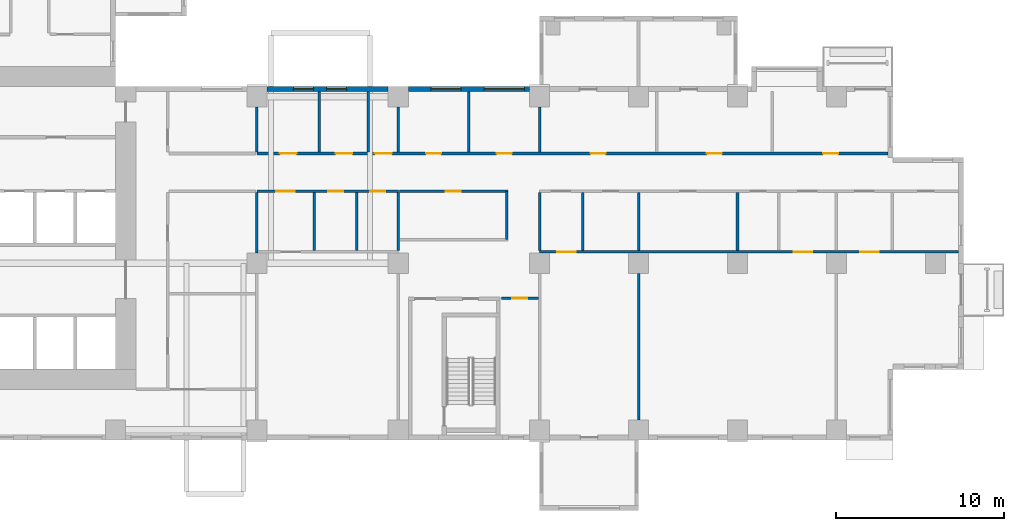
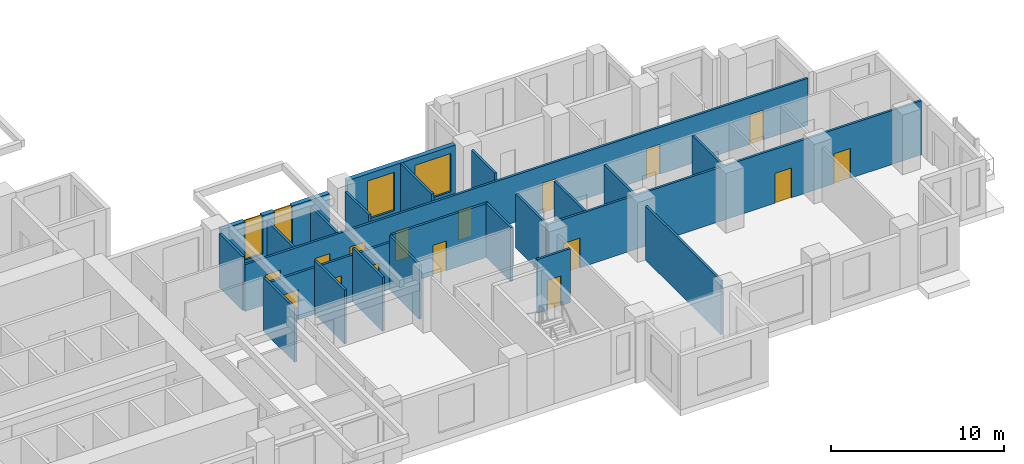
# One storey, part 5 of 15: 23 walls, 16 doors, 4 windows, 20 openings.
"""IFC4 building model written with IfcOpenShell, lengths in metres."""

from ifc_helpers import new_model, si_unit, direction, frame, frame_2d, origin, place, context, subcontext, project, spatial, rectangle, extrude, source, transform, mapped, material, layer, layer_set, type_object, element, fill, save


model = new_model("IFC4")

# Units and contexts
model_context = context("Model", 3, precision=1e-05, world=origin(), true_north=direction((0.0, 1.0)))
body_context = subcontext(model_context, "Body", "Model", "MODEL_VIEW")
ifc_project = project(units=[si_unit("LENGTHUNIT", "METRE"), si_unit("AREAUNIT", "SQUARE_METRE"), si_unit("VOLUMEUNIT", "CUBIC_METRE"), si_unit("PLANEANGLEUNIT", "RADIAN"), si_unit("MASSUNIT", "GRAM", prefix="KILO")], contexts=[model_context])

# Site, building, storey
site_placement = place(None, origin())
site = spatial("IfcSite", under=ifc_project, at=site_placement, CompositionType="ELEMENT")
building_placement = place(site_placement, origin())
building = spatial("IfcBuilding", under=site, at=building_placement, Name="Aurelian Terraces", CompositionType="ELEMENT")
storey_placement = place(building_placement, frame((0.0, 0.0, 61.5)))
storey = spatial("IfcBuildingStorey", under=building, at=storey_placement, Name="L12", CompositionType="ELEMENT", Elevation=61.5)

# Wall, openings, windows
ifc_material_1 = material(Name="Terracotta rainscreen cladding", Category="masonry")
ifc_layer_1 = layer(ifc_material_1, 0.3)
ifc_layer_set_1 = layer_set([ifc_layer_1], Name="EW-300")
wall_type_1 = type_object("IfcWallType", Name="EW-300", PredefinedType="STANDARD", material=ifc_layer_set_1)
shared_shape_1 = source(origin(), body_context, "Body", "SweptSolid", [
    extrude(rectangle(XDim=7.2, YDim=0.3, at=frame_2d((3.6, 0.0))), origin(), (0.0, 0.0, 1.0), 3.8),
])
wall_1_placement = place(storey_placement, frame((45.6, 20.85, 0.0), z_axis=(0.0, 0.0, 1.0), x_axis=(-1.0, 0.0, 0.0)))
wall_1 = element("IfcWall", 1, at=wall_1_placement, inside=storey, type_object=wall_type_1, Name="External wall L12 F07.23", PredefinedType="STANDARD", context=body_context, shape_type="MappedRepresentation", body=[
    mapped(shared_shape_1, transform((0.0, 0.0, 0.0), scale=1.0)),
])
shared_shape_2 = source(origin(), body_context, "Body", "SweptSolid", [
    extrude(rectangle(XDim=2.4, YDim=2.7, at=frame_2d((1.2, 1.35))), frame((0.0, 0.16, 0.0), z_axis=(0.0, -1.0, 0.0), x_axis=(1.0, 0.0, 0.0)), (0.0, 0.0, 1.0), 0.32),
])
opening_1_placement = place(wall_1_placement, frame((0.3, 0.0, 0.6)))
opening_1 = element("IfcOpeningElement", 2, at=opening_1_placement, cuts=wall_1, Name="Opening W2427", PredefinedType="OPENING", context=body_context, shape_type="MappedRepresentation", body=[
    mapped(shared_shape_2, transform((0.0, 0.0, 0.0), scale=1.0)),
])
shared_shape_3 = source(origin(), body_context, "Body", "SweptSolid", [
    extrude(rectangle(XDim=1.8, YDim=2.7, at=frame_2d((0.9, 1.35))), frame((0.0, 0.16, 0.0), z_axis=(0.0, -1.0, 0.0), x_axis=(1.0, 0.0, 0.0)), (0.0, 0.0, 1.0), 0.32),
])
opening_2_placement = place(wall_1_placement, frame((4.0625, 0.0, 0.6)))
opening_2 = element("IfcOpeningElement", 3, at=opening_2_placement, cuts=wall_1, Name="Opening W1827", PredefinedType="OPENING", context=body_context, shape_type="MappedRepresentation", body=[
    mapped(shared_shape_3, transform((0.0, 0.0, 0.0), scale=1.0)),
])
ifc_material_2 = material(Name="Clear glazing", Category="glass")
window_type_1 = type_object("IfcWindowType", Name="W-2400x2700", PartitioningType="SINGLE_PANEL", PredefinedType="WINDOW", material=ifc_material_2)
shared_shape_4 = source(origin(), body_context, "Body", "SweptSolid", [
    extrude(rectangle(XDim=2.4, YDim=2.7, at=frame_2d((1.2, 1.35))), frame((0.0, 0.03, 0.0), z_axis=(0.0, -1.0, 0.0), x_axis=(1.0, 0.0, 0.0)), (0.0, 0.0, 1.0), 0.06),
])
window_1_placement = place(opening_1_placement, origin())
window_1 = element("IfcWindow", 4, at=window_1_placement, inside=storey, type_object=window_type_1, Name="Window L12 L12-F07-23-0", OverallHeight=2.7, OverallWidth=2.4, PartitioningType="SINGLE_PANEL", PredefinedType="WINDOW", context=body_context, shape_type="MappedRepresentation", body=[
    mapped(shared_shape_4, transform((0.0, 0.0, 0.0), scale=1.0)),
])
fill(opening_1, window_1)
window_type_2 = type_object("IfcWindowType", Name="W-1800x2700", PartitioningType="SINGLE_PANEL", PredefinedType="WINDOW", material=ifc_material_2)
shared_shape_5 = source(origin(), body_context, "Body", "SweptSolid", [
    extrude(rectangle(XDim=1.8, YDim=2.7, at=frame_2d((0.9, 1.35))), frame((0.0, 0.03, 0.0), z_axis=(0.0, -1.0, 0.0), x_axis=(1.0, 0.0, 0.0)), (0.0, 0.0, 1.0), 0.06),
])
window_2_placement = place(opening_2_placement, origin())
window_2 = element("IfcWindow", 5, at=window_2_placement, inside=storey, type_object=window_type_2, Name="Window L12 L12-F07-23-G0-33", OverallHeight=2.7, OverallWidth=1.8, PartitioningType="SINGLE_PANEL", PredefinedType="WINDOW", context=body_context, shape_type="MappedRepresentation", body=[
    mapped(shared_shape_5, transform((0.0, 0.0, 0.0), scale=1.0)),
])
fill(opening_2, window_2)

shared_shape_6 = source(origin(), body_context, "Body", "SweptSolid", [
    extrude(rectangle(XDim=7.2, YDim=0.3, at=frame_2d((3.6, 0.0))), origin(), (0.0, 0.0, 1.0), 3.3),
])
wall_2_placement = place(storey_placement, frame((37.2, 20.85, 0.0), z_axis=(0.0, 0.0, 1.0), x_axis=(-1.0, 0.0, 0.0)))
wall_2 = element("IfcWall", 6, at=wall_2_placement, inside=storey, type_object=wall_type_1, Name="External wall L12 F07.23", PredefinedType="STANDARD", context=body_context, shape_type="MappedRepresentation", body=[
    mapped(shared_shape_6, transform((0.0, 0.0, 0.0), scale=1.0)),
])
shared_shape_7 = source(origin(), body_context, "Body", "SweptSolid", [
    extrude(rectangle(XDim=1.2, YDim=2.7, at=frame_2d((0.6, 1.35))), frame((0.0, 0.16, 0.0), z_axis=(0.0, -1.0, 0.0), x_axis=(1.0, 0.0, 0.0)), (0.0, 0.0, 1.0), 0.32),
])
opening_3_placement = place(wall_2_placement, frame((2.466, 0.0, 0.6)))
opening_3 = element("IfcOpeningElement", 7, at=opening_3_placement, cuts=wall_2, Name="Opening W1227", PredefinedType="OPENING", context=body_context, shape_type="MappedRepresentation", body=[
    mapped(shared_shape_7, transform((0.0, 0.0, 0.0), scale=1.0)),
])
opening_4_placement = place(wall_2_placement, frame((4.441, 0.0, 0.6)))
opening_4 = element("IfcOpeningElement", 8, at=opening_4_placement, cuts=wall_2, Name="Opening W1227", PredefinedType="OPENING", context=body_context, shape_type="MappedRepresentation", body=[
    mapped(shared_shape_7, transform((0.0, 0.0, 0.0), scale=1.0)),
])
window_type_3 = type_object("IfcWindowType", Name="W-1200x2700", PartitioningType="SINGLE_PANEL", PredefinedType="WINDOW", material=ifc_material_2)
shared_shape_8 = source(origin(), body_context, "Body", "SweptSolid", [
    extrude(rectangle(XDim=1.2, YDim=2.7, at=frame_2d((0.6, 1.35))), frame((0.0, 0.03, 0.0), z_axis=(0.0, -1.0, 0.0), x_axis=(1.0, 0.0, 0.0)), (0.0, 0.0, 1.0), 0.06),
])
window_3_placement = place(opening_3_placement, origin())
window_3 = element("IfcWindow", 9, at=window_3_placement, inside=storey, type_object=window_type_3, Name="Window L12 L12-F07-23-2.1", OverallHeight=2.7, OverallWidth=1.2, PartitioningType="SINGLE_PANEL", PredefinedType="WINDOW", context=body_context, shape_type="MappedRepresentation", body=[
    mapped(shared_shape_8, transform((0.0, 0.0, 0.0), scale=1.0)),
])
fill(opening_3, window_3)
window_4_placement = place(opening_4_placement, origin())
window_4 = element("IfcWindow", 10, at=window_4_placement, inside=storey, type_object=window_type_3, Name="Window L12 L12-F07-23-2.2", OverallHeight=2.7, OverallWidth=1.2, PartitioningType="SINGLE_PANEL", PredefinedType="WINDOW", context=body_context, shape_type="MappedRepresentation", body=[
    mapped(shared_shape_8, transform((0.0, 0.0, 0.0), scale=1.0)),
])
fill(opening_4, window_4)

# Wall, opening, door
ifc_material_3 = material(Name="Gypsum board on steel studs", Category="steel")
ifc_layer_2 = layer(ifc_material_3, 0.15)
ifc_layer_set_2 = layer_set([ifc_layer_2], Name="Fire partition 150")
wall_type_2 = type_object("IfcWallType", Name="Fire partition 150", PredefinedType="PARTITIONING", material=ifc_layer_set_2)
shared_shape_9 = source(origin(), body_context, "Body", "SweptSolid", [
    extrude(rectangle(XDim=6.45, YDim=0.15, at=frame_2d((3.225, 0.0))), origin(), (0.0, 0.0, 1.0), 3.8),
])
wall_3_placement = place(storey_placement, frame((44.325, 14.775, 0.0), z_axis=(0.0, 0.0, 1.0), x_axis=(-1.0, 0.0, 0.0)))
wall_3 = element("IfcWall", 11, at=wall_3_placement, inside=storey, type_object=wall_type_2, Name="Corridor wall", PredefinedType="PARTITIONING", context=body_context, shape_type="MappedRepresentation", body=[
    mapped(shared_shape_9, transform((0.0, 0.0, 0.0), scale=1.0)),
])
shared_shape_10 = source(origin(), body_context, "Body", "SweptSolid", [
    extrude(rectangle(XDim=0.9, YDim=2.1, at=frame_2d((0.45, 1.05))), frame((0.0, 0.085, 0.0), z_axis=(0.0, -1.0, 0.0), x_axis=(1.0, 0.0, 0.0)), (0.0, 0.0, 1.0), 0.17),
])
opening_5_placement = place(wall_3_placement, frame((2.8125, 0.0, 0.0)))
opening_5 = element("IfcOpeningElement", 12, at=opening_5_placement, cuts=wall_3, Name="Opening 712005", PredefinedType="OPENING", context=body_context, shape_type="MappedRepresentation", body=[
    mapped(shared_shape_10, transform((0.0, 0.0, 0.0), scale=1.0)),
])
ifc_material_4 = material(Name="Timber door leaf", Category="wood")
door_type_1 = type_object("IfcDoorType", Name="Room door 900x2100 left", OperationType="SINGLE_SWING_LEFT", PredefinedType="DOOR", material=ifc_material_4)
shared_shape_11 = source(origin(), body_context, "Body", "SweptSolid", [
    extrude(rectangle(XDim=0.9, YDim=2.1, at=frame_2d((0.45, 1.05))), frame((0.0, 0.025, 0.0), z_axis=(0.0, -1.0, 0.0), x_axis=(1.0, 0.0, 0.0)), (0.0, 0.0, 1.0), 0.05),
])
door_1_placement = place(opening_5_placement, origin())
door_1 = element("IfcDoor", 13, at=door_1_placement, inside=storey, type_object=door_type_1, Name="Door 712005", OperationType="SINGLE_SWING_LEFT", OverallHeight=2.1, OverallWidth=0.9, PredefinedType="DOOR", context=body_context, shape_type="MappedRepresentation", body=[
    mapped(shared_shape_11, transform((0.0, 0.0, 0.0), scale=1.0)),
])
fill(opening_5, door_1)

# Walls
ifc_layer_3 = layer(ifc_material_3, 0.15)
ifc_layer_set_3 = layer_set([ifc_layer_3], Name="Partition 150")
wall_type_3 = type_object("IfcWallType", Name="Partition 150", PredefinedType="PARTITIONING", material=ifc_layer_set_3)
shared_shape_12 = source(origin(), body_context, "Body", "SweptSolid", [
    extrude(rectangle(XDim=8.702, YDim=0.15, at=frame_2d((4.351, 0.0))), origin(), (0.0, 0.0, 1.0), 3.8),
])
wall_4_placement = place(storey_placement, frame((52.08, 1.199, 0.0), z_axis=(0.0, 0.0, 1.0), x_axis=(0.0, 1.0, 0.0)))
element("IfcWall", 14, at=wall_4_placement, inside=storey, type_object=wall_type_3, Name="Partition", PredefinedType="PARTITIONING", context=body_context, shape_type="MappedRepresentation", body=[
    mapped(shared_shape_12, transform((0.0, 0.0, 0.0), scale=1.0)),
])
shared_shape_13 = source(origin(), body_context, "Body", "SweptSolid", [
    extrude(rectangle(XDim=3.6, YDim=0.15, at=frame_2d((1.8, 0.0))), origin(), (0.0, 0.0, 1.0), 3.8),
])
wall_5_placement = place(storey_placement, frame((42.0, 20.7, 0.0), z_axis=(0.0, 0.0, 1.0), x_axis=(0.0, -1.0, 0.0)))
element("IfcWall", 15, at=wall_5_placement, inside=storey, type_object=wall_type_3, Name="Partition", PredefinedType="PARTITIONING", context=body_context, shape_type="MappedRepresentation", body=[
    mapped(shared_shape_13, transform((0.0, 0.0, 0.0), scale=1.0)),
])
shared_shape_14 = source(origin(), body_context, "Body", "SweptSolid", [
    extrude(rectangle(XDim=2.701, YDim=0.15, at=frame_2d((1.3505, 0.0))), origin(), (0.0, 0.0, 1.0), 3.8),
])
for number, where, z_axis, x_axis, name in (
    (16, (29.4, 17.1, 0.0), (0.0, 0.0, 1.0), (0.0, 1.0, 0.0), "Partition"),
    (17, (37.8, 17.1, 0.0), (0.0, 0.0, 1.0), (0.0, 1.0, 0.0), "Partition"),
    (18, (46.2, 17.1, 0.0), (0.0, 0.0, 1.0), (0.0, 1.0, 0.0), "Partition"),
):
    element("IfcWall", number, at=place(storey_placement, frame(where, z_axis=z_axis, x_axis=x_axis)), inside=storey, type_object=wall_type_3, Name=name, PredefinedType="PARTITIONING", context=body_context, shape_type="MappedRepresentation", body=[
        mapped(shared_shape_14, transform((0.0, 0.0, 0.0), scale=1.0)),
    ])

# Wall, openings, doors
shared_shape_15 = source(origin(), body_context, "Body", "SweptSolid", [
    extrude(rectangle(XDim=24.9, YDim=0.15, at=frame_2d((12.45, 0.0))), origin(), (0.0, 0.0, 1.0), 3.8),
])
wall_6_placement = place(storey_placement, frame((71.1, 11.175, 0.0), z_axis=(0.0, 0.0, 1.0), x_axis=(-1.0, 0.0, 0.0)))
wall_6 = element("IfcWall", 19, at=wall_6_placement, inside=storey, type_object=wall_type_3, Name="Partition", PredefinedType="PARTITIONING", context=body_context, shape_type="MappedRepresentation", body=[
    mapped(shared_shape_15, transform((0.0, 0.0, 0.0), scale=1.0)),
])
shared_shape_16 = source(origin(), body_context, "Body", "SweptSolid", [
    extrude(rectangle(XDim=1.1, YDim=2.1, at=frame_2d((0.55, 1.05))), frame((0.0, 0.085, 0.0), z_axis=(0.0, -1.0, 0.0), x_axis=(1.0, 0.0, 0.0)), (0.0, 0.0, 1.0), 0.17),
])
opening_6_placement = place(wall_6_placement, frame((22.7533, 0.0, 0.0)))
opening_6 = element("IfcOpeningElement", 20, at=opening_6_placement, cuts=wall_6, Name="Opening 712012", PredefinedType="OPENING", context=body_context, shape_type="MappedRepresentation", body=[
    mapped(shared_shape_16, transform((0.0, 0.0, 0.0), scale=1.0)),
])
opening_7_placement = place(wall_6_placement, frame((8.6827, 0.0, 0.0)))
opening_7 = element("IfcOpeningElement", 21, at=opening_7_placement, cuts=wall_6, Name="Opening 712015", PredefinedType="OPENING", context=body_context, shape_type="MappedRepresentation", body=[
    mapped(shared_shape_16, transform((0.0, 0.0, 0.0), scale=1.0)),
])
opening_8_placement = place(wall_6_placement, frame((4.7383, 0.0, 0.0)))
opening_8 = element("IfcOpeningElement", 22, at=opening_8_placement, cuts=wall_6, Name="Opening 712019", PredefinedType="OPENING", context=body_context, shape_type="MappedRepresentation", body=[
    mapped(shared_shape_16, transform((0.0, 0.0, 0.0), scale=1.0)),
])
door_type_2 = type_object("IfcDoorType", Name="Room door 1100x2100 left", OperationType="SINGLE_SWING_LEFT", PredefinedType="DOOR", material=ifc_material_4)
shared_shape_17 = source(origin(), body_context, "Body", "SweptSolid", [
    extrude(rectangle(XDim=1.1, YDim=2.1, at=frame_2d((0.55, 1.05))), frame((0.0, 0.025, 0.0), z_axis=(0.0, -1.0, 0.0), x_axis=(1.0, 0.0, 0.0)), (0.0, 0.0, 1.0), 0.05),
])
door_2_placement = place(opening_6_placement, origin())
door_2 = element("IfcDoor", 23, at=door_2_placement, inside=storey, type_object=door_type_2, Name="Door 712012", OperationType="SINGLE_SWING_LEFT", OverallHeight=2.1, OverallWidth=1.1, PredefinedType="DOOR", context=body_context, shape_type="MappedRepresentation", body=[
    mapped(shared_shape_17, transform((0.0, 0.0, 0.0), scale=1.0)),
])
fill(opening_6, door_2)
door_3_placement = place(opening_7_placement, origin())
door_3 = element("IfcDoor", 24, at=door_3_placement, inside=storey, type_object=door_type_2, Name="Door 712015", OperationType="SINGLE_SWING_LEFT", OverallHeight=2.1, OverallWidth=1.1, PredefinedType="DOOR", context=body_context, shape_type="MappedRepresentation", body=[
    mapped(shared_shape_17, transform((0.0, 0.0, 0.0), scale=1.0)),
])
fill(opening_7, door_3)
door_4_placement = place(opening_8_placement, origin())
door_4 = element("IfcDoor", 25, at=door_4_placement, inside=storey, type_object=door_type_2, Name="Door 712019", OperationType="SINGLE_SWING_LEFT", OverallHeight=2.1, OverallWidth=1.1, PredefinedType="DOOR", context=body_context, shape_type="MappedRepresentation", body=[
    mapped(shared_shape_17, transform((0.0, 0.0, 0.0), scale=1.0)),
])
fill(opening_8, door_4)

# Wall, opening, door
shared_shape_18 = source(origin(), body_context, "Body", "SweptSolid", [
    extrude(rectangle(XDim=2.2, YDim=0.15, at=frame_2d((1.1, 0.0))), origin(), (0.0, 0.0, 1.0), 3.8),
])
wall_7_placement = place(storey_placement, frame((46.125, 8.425, 0.0), z_axis=(0.0, 0.0, 1.0), x_axis=(-1.0, 0.0, 0.0)))
wall_7 = element("IfcWall", 26, at=wall_7_placement, inside=storey, type_object=wall_type_3, Name="Partition", PredefinedType="PARTITIONING", context=body_context, shape_type="MappedRepresentation", body=[
    mapped(shared_shape_18, transform((0.0, 0.0, 0.0), scale=1.0)),
])
opening_9_placement = place(wall_7_placement, frame((0.65, 0.0, 0.0)))
opening_9 = element("IfcOpeningElement", 27, at=opening_9_placement, cuts=wall_7, Name="Opening 712006", PredefinedType="OPENING", context=body_context, shape_type="MappedRepresentation", body=[
    mapped(shared_shape_10, transform((0.0, 0.0, 0.0), scale=1.0)),
])
door_5_placement = place(opening_9_placement, origin())
door_5 = element("IfcDoor", 28, at=door_5_placement, inside=storey, type_object=door_type_1, Name="Door 712006", OperationType="SINGLE_SWING_LEFT", OverallHeight=2.1, OverallWidth=0.9, PredefinedType="DOOR", context=body_context, shape_type="MappedRepresentation", body=[
    mapped(shared_shape_11, transform((0.0, 0.0, 0.0), scale=1.0)),
])
fill(opening_9, door_5)

# Walls
shared_shape_19 = source(origin(), body_context, "Body", "SweptSolid", [
    extrude(rectangle(XDim=3.6, YDim=0.15, at=frame_2d((1.8, 0.0))), origin(), (0.0, 0.0, 1.0), 2.8),
])
for number, where, z_axis, x_axis, name in (
    (29, (33.1133, 20.7, 0.0), (0.0, 0.0, 1.0), (0.0, -1.0, 0.0), "Partition"),
    (30, (36.024, 20.7, 0.0), (0.0, 0.0, 1.0), (0.0, -1.0, 0.0), "Partition"),
):
    element("IfcWall", number, at=place(storey_placement, frame(where, z_axis=z_axis, x_axis=x_axis)), inside=storey, type_object=wall_type_3, Name=name, PredefinedType="PARTITIONING", context=body_context, shape_type="MappedRepresentation", body=[
        mapped(shared_shape_19, transform((0.0, 0.0, 0.0), scale=1.0)),
    ])

# Wall, openings, doors
shared_shape_20 = source(origin(), body_context, "Body", "SweptSolid", [
    extrude(rectangle(XDim=8.4, YDim=0.15, at=frame_2d((4.2, 0.0))), origin(), (0.0, 0.0, 1.0), 3.3),
])
wall_8_placement = place(storey_placement, frame((37.8, 14.775, 0.0), z_axis=(0.0, 0.0, 1.0), x_axis=(-1.0, 0.0, 0.0)))
wall_8 = element("IfcWall", 31, at=wall_8_placement, inside=storey, type_object=wall_type_2, Name="Corridor wall", PredefinedType="PARTITIONING", context=body_context, shape_type="MappedRepresentation", body=[
    mapped(shared_shape_20, transform((0.0, 0.0, 0.0), scale=1.0)),
])
opening_10_placement = place(wall_8_placement, frame((6.1456, 0.0, 0.0)))
opening_10 = element("IfcOpeningElement", 32, at=opening_10_placement, cuts=wall_8, Name="Opening 712007", PredefinedType="OPENING", context=body_context, shape_type="MappedRepresentation", body=[
    mapped(shared_shape_16, transform((0.0, 0.0, 0.0), scale=1.0)),
])
opening_11_placement = place(wall_8_placement, frame((3.2762, 0.0, 0.0)))
opening_11 = element("IfcOpeningElement", 33, at=opening_11_placement, cuts=wall_8, Name="Opening 712009", PredefinedType="OPENING", context=body_context, shape_type="MappedRepresentation", body=[
    mapped(shared_shape_10, transform((0.0, 0.0, 0.0), scale=1.0)),
])
opening_12_placement = place(wall_8_placement, frame((0.7806, 0.0, 0.0)))
opening_12 = element("IfcOpeningElement", 34, at=opening_12_placement, cuts=wall_8, Name="Opening 712010", PredefinedType="OPENING", context=body_context, shape_type="MappedRepresentation", body=[
    mapped(shared_shape_10, transform((0.0, 0.0, 0.0), scale=1.0)),
])
door_type_3 = type_object("IfcDoorType", Name="Room door 900x2100 right", OperationType="SINGLE_SWING_RIGHT", PredefinedType="DOOR", material=ifc_material_4)
door_6_placement = place(opening_11_placement, origin())
door_6 = element("IfcDoor", 35, at=door_6_placement, inside=storey, type_object=door_type_3, Name="Door 712009", OperationType="SINGLE_SWING_RIGHT", OverallHeight=2.1, OverallWidth=0.9, PredefinedType="DOOR", context=body_context, shape_type="MappedRepresentation", body=[
    mapped(shared_shape_11, transform((0.0, 0.0, 0.0), scale=1.0)),
])
fill(opening_11, door_6)
door_7_placement = place(opening_12_placement, origin())
door_7 = element("IfcDoor", 36, at=door_7_placement, inside=storey, type_object=door_type_1, Name="Door 712010", OperationType="SINGLE_SWING_LEFT", OverallHeight=2.1, OverallWidth=0.9, PredefinedType="DOOR", context=body_context, shape_type="MappedRepresentation", body=[
    mapped(shared_shape_11, transform((0.0, 0.0, 0.0), scale=1.0)),
])
fill(opening_12, door_7)
door_type_4 = type_object("IfcDoorType", Name="Room door 1100x2100 right", OperationType="SINGLE_SWING_RIGHT", PredefinedType="DOOR", material=ifc_material_4)
door_8_placement = place(opening_10_placement, origin())
door_8 = element("IfcDoor", 37, at=door_8_placement, inside=storey, type_object=door_type_4, Name="Door 712007", OperationType="SINGLE_SWING_RIGHT", OverallHeight=2.1, OverallWidth=1.1, PredefinedType="DOOR", context=body_context, shape_type="MappedRepresentation", body=[
    mapped(shared_shape_17, transform((0.0, 0.0, 0.0), scale=1.0)),
])
fill(opening_10, door_8)

shared_shape_21 = source(origin(), body_context, "Body", "SweptSolid", [
    extrude(rectangle(XDim=37.5, YDim=0.15, at=frame_2d((18.75, 0.0))), origin(), (0.0, 0.0, 1.0), 3.3),
])
wall_9_placement = place(storey_placement, frame((29.4, 17.025, 0.0), z_axis=(0.0, 0.0, 1.0), x_axis=(1.0, 0.0, 0.0)))
wall_9 = element("IfcWall", 38, at=wall_9_placement, inside=storey, type_object=wall_type_2, Name="Corridor wall", PredefinedType="PARTITIONING", context=body_context, shape_type="MappedRepresentation", body=[
    mapped(shared_shape_21, transform((0.0, 0.0, 0.0), scale=1.0)),
])
shared_shape_22 = source(origin(), body_context, "Body", "SweptSolid", [
    extrude(rectangle(XDim=1.0, YDim=2.1, at=frame_2d((0.5, 1.05))), frame((0.0, 0.085, 0.0), z_axis=(0.0, -1.0, 0.0), x_axis=(1.0, 0.0, 0.0)), (0.0, 0.0, 1.0), 0.17),
])
opening_13_placement = place(wall_9_placement, frame((1.3567, 0.0, 0.0)))
opening_13 = element("IfcOpeningElement", 39, at=opening_13_placement, cuts=wall_9, Name="Opening 712021", PredefinedType="OPENING", context=body_context, shape_type="MappedRepresentation", body=[
    mapped(shared_shape_22, transform((0.0, 0.0, 0.0), scale=1.0)),
])
opening_14_placement = place(wall_9_placement, frame((4.6686, 0.0, 0.0)))
opening_14 = element("IfcOpeningElement", 40, at=opening_14_placement, cuts=wall_9, Name="Opening 712022", PredefinedType="OPENING", context=body_context, shape_type="MappedRepresentation", body=[
    mapped(shared_shape_22, transform((0.0, 0.0, 0.0), scale=1.0)),
])
opening_15_placement = place(wall_9_placement, frame((7.012, 0.0, 0.0)))
opening_15 = element("IfcOpeningElement", 41, at=opening_15_placement, cuts=wall_9, Name="Opening 712023", PredefinedType="OPENING", context=body_context, shape_type="MappedRepresentation", body=[
    mapped(shared_shape_22, transform((0.0, 0.0, 0.0), scale=1.0)),
])
opening_16_placement = place(wall_9_placement, frame((10.05, 0.0, 0.0)))
opening_16 = element("IfcOpeningElement", 42, at=opening_16_placement, cuts=wall_9, Name="Opening 712024", PredefinedType="OPENING", context=body_context, shape_type="MappedRepresentation", body=[
    mapped(shared_shape_10, transform((0.0, 0.0, 0.0), scale=1.0)),
])
opening_17_placement = place(wall_9_placement, frame((14.25, 0.0, 0.0)))
opening_17 = element("IfcOpeningElement", 43, at=opening_17_placement, cuts=wall_9, Name="Opening 712025", PredefinedType="OPENING", context=body_context, shape_type="MappedRepresentation", body=[
    mapped(shared_shape_10, transform((0.0, 0.0, 0.0), scale=1.0)),
])
opening_18_placement = place(wall_9_placement, frame((19.825, 0.0, 0.0)))
opening_18 = element("IfcOpeningElement", 44, at=opening_18_placement, cuts=wall_9, Name="Opening 712026", PredefinedType="OPENING", context=body_context, shape_type="MappedRepresentation", body=[
    mapped(shared_shape_10, transform((0.0, 0.0, 0.0), scale=1.0)),
])
opening_19_placement = place(wall_9_placement, frame((26.7375, 0.0, 0.0)))
opening_19 = element("IfcOpeningElement", 45, at=opening_19_placement, cuts=wall_9, Name="Opening 712027", PredefinedType="OPENING", context=body_context, shape_type="MappedRepresentation", body=[
    mapped(shared_shape_10, transform((0.0, 0.0, 0.0), scale=1.0)),
])
opening_20_placement = place(wall_9_placement, frame((33.65, 0.0, 0.0)))
opening_20 = element("IfcOpeningElement", 46, at=opening_20_placement, cuts=wall_9, Name="Opening 712028", PredefinedType="OPENING", context=body_context, shape_type="MappedRepresentation", body=[
    mapped(shared_shape_10, transform((0.0, 0.0, 0.0), scale=1.0)),
])
door_type_5 = type_object("IfcDoorType", Name="Room door 1000x2100 right", OperationType="SINGLE_SWING_RIGHT", PredefinedType="DOOR", material=ifc_material_4)
shared_shape_23 = source(origin(), body_context, "Body", "SweptSolid", [
    extrude(rectangle(XDim=1.0, YDim=2.1, at=frame_2d((0.5, 1.05))), frame((0.0, 0.025, 0.0), z_axis=(0.0, -1.0, 0.0), x_axis=(1.0, 0.0, 0.0)), (0.0, 0.0, 1.0), 0.05),
])
door_9_placement = place(opening_13_placement, origin())
door_9 = element("IfcDoor", 47, at=door_9_placement, inside=storey, type_object=door_type_5, Name="Door 712021", OperationType="SINGLE_SWING_RIGHT", OverallHeight=2.1, OverallWidth=1.0, PredefinedType="DOOR", context=body_context, shape_type="MappedRepresentation", body=[
    mapped(shared_shape_23, transform((0.0, 0.0, 0.0), scale=1.0)),
])
fill(opening_13, door_9)
door_type_6 = type_object("IfcDoorType", Name="Room door 1000x2100 left", OperationType="SINGLE_SWING_LEFT", PredefinedType="DOOR", material=ifc_material_4)
door_10_placement = place(opening_14_placement, origin())
door_10 = element("IfcDoor", 48, at=door_10_placement, inside=storey, type_object=door_type_6, Name="Door 712022", OperationType="SINGLE_SWING_LEFT", OverallHeight=2.1, OverallWidth=1.0, PredefinedType="DOOR", context=body_context, shape_type="MappedRepresentation", body=[
    mapped(shared_shape_23, transform((0.0, 0.0, 0.0), scale=1.0)),
])
fill(opening_14, door_10)
door_11_placement = place(opening_15_placement, origin())
door_11 = element("IfcDoor", 49, at=door_11_placement, inside=storey, type_object=door_type_5, Name="Door 712023", OperationType="SINGLE_SWING_RIGHT", OverallHeight=2.1, OverallWidth=1.0, PredefinedType="DOOR", context=body_context, shape_type="MappedRepresentation", body=[
    mapped(shared_shape_23, transform((0.0, 0.0, 0.0), scale=1.0)),
])
fill(opening_15, door_11)
door_12_placement = place(opening_16_placement, origin())
door_12 = element("IfcDoor", 50, at=door_12_placement, inside=storey, type_object=door_type_3, Name="Door 712024", OperationType="SINGLE_SWING_RIGHT", OverallHeight=2.1, OverallWidth=0.9, PredefinedType="DOOR", context=body_context, shape_type="MappedRepresentation", body=[
    mapped(shared_shape_11, transform((0.0, 0.0, 0.0), scale=1.0)),
])
fill(opening_16, door_12)
door_13_placement = place(opening_17_placement, origin())
door_13 = element("IfcDoor", 51, at=door_13_placement, inside=storey, type_object=door_type_1, Name="Door 712025", OperationType="SINGLE_SWING_LEFT", OverallHeight=2.1, OverallWidth=0.9, PredefinedType="DOOR", context=body_context, shape_type="MappedRepresentation", body=[
    mapped(shared_shape_11, transform((0.0, 0.0, 0.0), scale=1.0)),
])
fill(opening_17, door_13)
door_14_placement = place(opening_18_placement, origin())
door_14 = element("IfcDoor", 52, at=door_14_placement, inside=storey, type_object=door_type_3, Name="Door 712026", OperationType="SINGLE_SWING_RIGHT", OverallHeight=2.1, OverallWidth=0.9, PredefinedType="DOOR", context=body_context, shape_type="MappedRepresentation", body=[
    mapped(shared_shape_11, transform((0.0, 0.0, 0.0), scale=1.0)),
])
fill(opening_18, door_14)
door_15_placement = place(opening_19_placement, origin())
door_15 = element("IfcDoor", 53, at=door_15_placement, inside=storey, type_object=door_type_1, Name="Door 712027", OperationType="SINGLE_SWING_LEFT", OverallHeight=2.1, OverallWidth=0.9, PredefinedType="DOOR", context=body_context, shape_type="MappedRepresentation", body=[
    mapped(shared_shape_11, transform((0.0, 0.0, 0.0), scale=1.0)),
])
fill(opening_19, door_15)
door_16_placement = place(opening_20_placement, origin())
door_16 = element("IfcDoor", 54, at=door_16_placement, inside=storey, type_object=door_type_3, Name="Door 712028", OperationType="SINGLE_SWING_RIGHT", OverallHeight=2.1, OverallWidth=0.9, PredefinedType="DOOR", context=body_context, shape_type="MappedRepresentation", body=[
    mapped(shared_shape_11, transform((0.0, 0.0, 0.0), scale=1.0)),
])
fill(opening_20, door_16)

# Walls
shared_shape_24 = source(origin(), body_context, "Body", "SweptSolid", [
    extrude(rectangle(XDim=3.601, YDim=0.15, at=frame_2d((1.8005, 0.0))), origin(), (0.0, 0.0, 1.0), 3.8),
])
wall_10_placement = place(storey_placement, frame((29.4, 11.099, 0.0), z_axis=(0.0, 0.0, 1.0), x_axis=(0.0, 1.0, 0.0)))
element("IfcWall", 55, at=wall_10_placement, inside=storey, type_object=wall_type_3, Name="Partition", PredefinedType="PARTITIONING", context=body_context, shape_type="MappedRepresentation", body=[
    mapped(shared_shape_24, transform((0.0, 0.0, 0.0), scale=1.0)),
])
shared_shape_25 = source(origin(), body_context, "Body", "SweptSolid", [
    extrude(rectangle(XDim=3.45, YDim=0.15, at=frame_2d((1.725, 0.0))), origin(), (0.0, 0.0, 1.0), 3.8),
])
for number, where, z_axis, x_axis, name in (
    (56, (32.8088, 11.25, 0.0), (0.0, 0.0, 1.0), (0.0, 1.0, 0.0), "Partition"),
    (57, (35.3388, 11.25, 0.0), (0.0, 0.0, 1.0), (0.0, 1.0, 0.0), "Partition"),
    (58, (37.8, 11.25, 0.0), (0.0, 0.0, 1.0), (0.0, 1.0, 0.0), "Partition"),
    (59, (48.7684, 11.25, 0.0), (0.0, 0.0, 1.0), (0.0, 1.0, 0.0), "Partition"),
    (60, (57.96, 11.25, 0.0), (0.0, 0.0, 1.0), (0.0, 1.0, 0.0), "Partition"),
    (61, (46.2, 11.25, 0.0), (0.0, 0.0, 1.0), (0.0, 1.0, 0.0), "Partition"),
    (62, (52.08, 11.25, 0.0), (0.0, 0.0, 1.0), (0.0, 1.0, 0.0), "Partition"),
):
    element("IfcWall", number, at=place(storey_placement, frame(where, z_axis=z_axis, x_axis=x_axis)), inside=storey, type_object=wall_type_3, Name=name, PredefinedType="PARTITIONING", context=body_context, shape_type="MappedRepresentation", body=[
        mapped(shared_shape_25, transform((0.0, 0.0, 0.0), scale=1.0)),
    ])
shared_shape_26 = source(origin(), body_context, "Body", "SweptSolid", [
    extrude(rectangle(XDim=2.875, YDim=0.15, at=frame_2d((1.4375, 0.0))), origin(), (0.0, 0.0, 1.0), 3.8),
])
wall_11_placement = place(storey_placement, frame((44.25, 11.9, 0.0), z_axis=(0.0, 0.0, 1.0), x_axis=(0.0, 1.0, 0.0)))
element("IfcWall", 63, at=wall_11_placement, inside=storey, type_object=wall_type_3, Name="Partition", PredefinedType="PARTITIONING", context=body_context, shape_type="MappedRepresentation", body=[
    mapped(shared_shape_26, transform((0.0, 0.0, 0.0), scale=1.0)),
])

save(model, "model.ifc")
